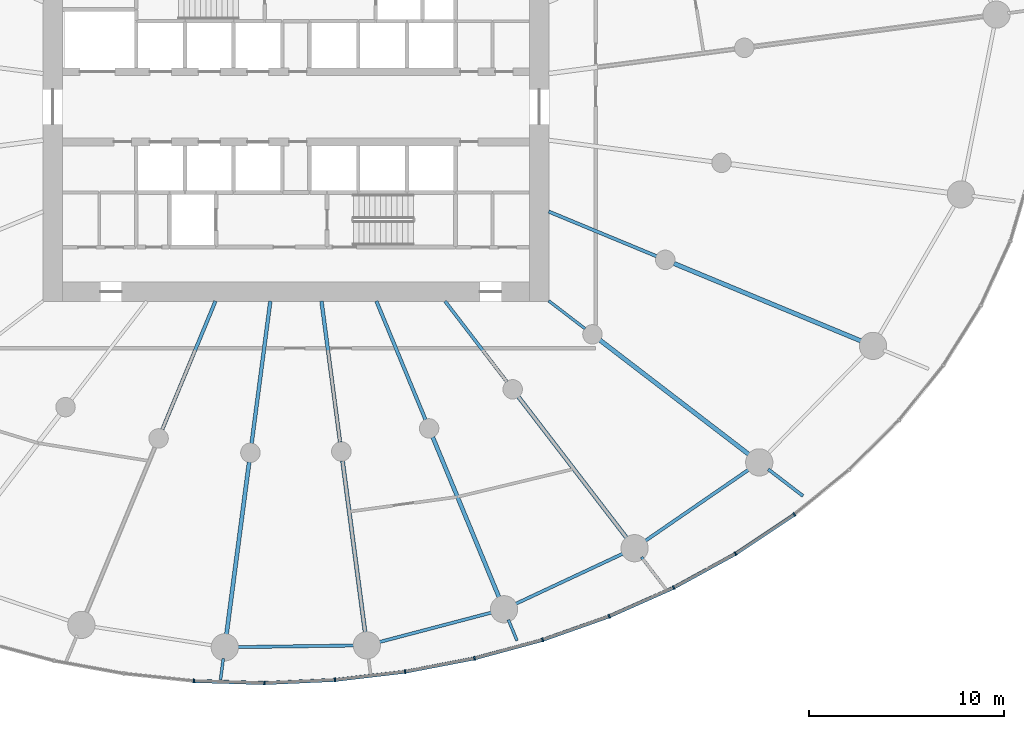
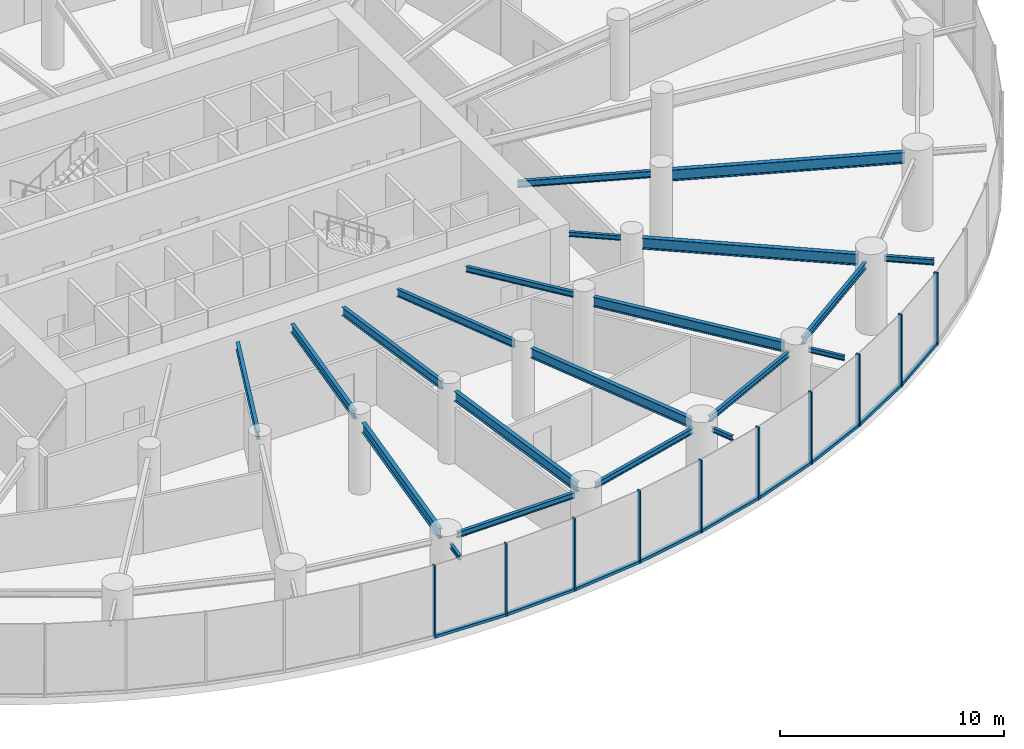
# One storey, part 4 of 17: 21 beams, 19 members, 2 elements without a shape of their own.
"""IFC4 building model written with IfcOpenShell, lengths in metres."""

from ifc_helpers import new_model, si_unit, direction, frame, origin, origin_2d, place, context, subcontext, project, spatial, rectangle, i_section, extrude, source, transform, mapped, material, layer, layer_set, material_profile, profile_set, type_object, element, aggregate, save


model = new_model("IFC4")

# Units and contexts
model_context = context("Model", 3, precision=1e-05, world=origin(), true_north=direction((0.0, 1.0)))
body_context = subcontext(model_context, "Body", "Model", "MODEL_VIEW")
ifc_project = project(units=[si_unit("LENGTHUNIT", "METRE"), si_unit("AREAUNIT", "SQUARE_METRE"), si_unit("VOLUMEUNIT", "CUBIC_METRE"), si_unit("PLANEANGLEUNIT", "RADIAN"), si_unit("MASSUNIT", "GRAM", prefix="KILO")], contexts=[model_context])

# Site, building, storey
site_placement = place(None, origin())
site = spatial("IfcSite", under=ifc_project, at=site_placement, CompositionType="ELEMENT")
building_placement = place(site_placement, origin())
building = spatial("IfcBuilding", under=site, at=building_placement, Name="Spindrift Exchange Tower", CompositionType="ELEMENT")
storey_placement = place(building_placement, frame((0.0, 0.0, 35.800048828125)))
storey = spatial("IfcBuildingStorey", under=building, at=storey_placement, Name="L08", CompositionType="ELEMENT", Elevation=35.800048828125)

# Beams
ifc_material_1 = material(Name="Steel Grade 300", Category="steel")
ifc_material_profile_1 = material_profile(ifc_material_1, i_section(OverallWidth=0.177978515625, OverallDepth=0.406005859375, WebThickness=0.0078125, FlangeThickness=0.0126953125, FilletRadius=0.013916015625, at=origin_2d()), Name="410UB59.7")
ifc_profile_set_1 = profile_set([ifc_material_profile_1], Name="Steel Grade 300")
beam_type_1 = type_object("IfcBeamType", Name="Floor Beam 410UB59.7 Steel Grade 300", PredefinedType="BEAM", material=ifc_profile_set_1)
shared_shape_1 = source(origin(), body_context, "Body", "SweptSolid", [
    extrude(i_section(OverallWidth=0.177978515625, OverallDepth=0.406005859375, WebThickness=0.0078125, FlangeThickness=0.0126953125, FilletRadius=0.013916015625, at=origin_2d()), origin(), (0.0, 0.0, 1.0), 7.150634765625),
])
beam_1_placement = place(storey_placement, frame((47.865478515625, 38.0185546875, 3.7470703125), z_axis=(-0.382665393358, -0.923887004306, 0.0), x_axis=(0.923887004306, -0.382665393358, 0.0)))
element("IfcBeam", 1, at=beam_1_placement, inside=storey, type_object=beam_type_1, Name="L08 radial beam R17A", PredefinedType="BEAM", context=body_context, shape_type="MappedRepresentation", body=[
    mapped(shared_shape_1, transform((0.0, 0.0, 0.0), scale=1.0)),
])
ifc_material_profile_2 = material_profile(ifc_material_1, i_section(OverallWidth=0.18994140625, OverallDepth=0.45703125, WebThickness=0.009033203125, FlangeThickness=0.014404296875, FilletRadius=0.013916015625, at=origin_2d()), Name="460UB74.6")
ifc_profile_set_2 = profile_set([ifc_material_profile_2], Name="Steel Grade 300")
beam_type_2 = type_object("IfcBeamType", Name="Floor Beam 460UB74.6 Steel Grade 300", PredefinedType="BEAM", material=ifc_profile_set_2)
shared_shape_2 = source(origin(), body_context, "Body", "SweptSolid", [
    extrude(i_section(OverallWidth=0.18994140625, OverallDepth=0.45703125, WebThickness=0.009033203125, FlangeThickness=0.014404296875, FilletRadius=0.013916015625, at=origin_2d()), origin(), (0.0, 0.0, 1.0), 7.374267578125),
])
beam_2_placement = place(storey_placement, frame((50.68603515625, 38.019775390625, 3.721435546875), z_axis=(-0.130539295622, -0.99144313619, 0.0), x_axis=(0.99144313619, -0.130539295622, 0.0)))
element("IfcBeam", 2, at=beam_2_placement, inside=storey, type_object=beam_type_2, Name="L08 radial beam R18A", PredefinedType="BEAM", context=body_context, shape_type="MappedRepresentation", body=[
    mapped(shared_shape_2, transform((0.0, 0.0, 0.0), scale=1.0)),
])
ifc_material_profile_3 = material_profile(ifc_material_1, i_section(OverallWidth=0.208984375, OverallDepth=0.532958984375, WebThickness=0.01025390625, FlangeThickness=0.015625, FilletRadius=0.013916015625, at=origin_2d()), Name="530UB92.4")
ifc_profile_set_3 = profile_set([ifc_material_profile_3], Name="Steel Grade 300")
beam_type_3 = type_object("IfcBeamType", Name="Floor Beam 530UB92.4 Steel Grade 300", PredefinedType="BEAM", material=ifc_profile_set_3)
shared_shape_3 = source(origin(), body_context, "Body", "SweptSolid", [
    extrude(i_section(OverallWidth=0.208984375, OverallDepth=0.532958984375, WebThickness=0.01025390625, FlangeThickness=0.015625, FilletRadius=0.013916015625, at=origin_2d()), origin(), (0.0, 0.0, 1.0), 9.020263671875),
])
beam_3_placement = place(storey_placement, frame((49.59814453125, 29.7568359375, 3.683349609375), z_axis=(-0.13051122338, -0.991446831944, 0.0), x_axis=(0.991446831944, -0.13051122338, 0.0)))
element("IfcBeam", 3, at=beam_3_placement, inside=storey, type_object=beam_type_3, Name="L08 radial beam R18B", PredefinedType="BEAM", context=body_context, shape_type="MappedRepresentation", body=[
    mapped(shared_shape_3, transform((0.0, 0.0, 0.0), scale=1.0)),
])
shared_shape_4 = source(origin(), body_context, "Body", "SweptSolid", [
    extrude(i_section(OverallWidth=0.18994140625, OverallDepth=0.45703125, WebThickness=0.009033203125, FlangeThickness=0.014404296875, FilletRadius=0.013916015625, at=origin_2d()), origin(), (0.0, 0.0, 1.0), 7.3095703125),
])
beam_4_placement = place(storey_placement, frame((53.31396484375, 38.019775390625, 3.721435546875), z_axis=(0.130527087244, -0.991444743541, 0.0), x_axis=(0.991444743541, 0.130527087244, 0.0)))
element("IfcBeam", 4, at=beam_4_placement, inside=storey, type_object=beam_type_2, Name="L08 radial beam R19A", PredefinedType="BEAM", context=body_context, shape_type="MappedRepresentation", body=[
    mapped(shared_shape_4, transform((0.0, 0.0, 0.0), scale=1.0)),
])
shared_shape_5 = source(origin(), body_context, "Body", "SweptSolid", [
    extrude(i_section(OverallWidth=0.208984375, OverallDepth=0.532958984375, WebThickness=0.01025390625, FlangeThickness=0.015625, FilletRadius=0.013916015625, at=origin_2d()), origin(), (0.0, 0.0, 1.0), 8.98388671875),
])
beam_5_placement = place(storey_placement, frame((54.393310546875, 29.82080078125, 3.683349609375), z_axis=(0.130524106785, -0.991445135924, 0.0), x_axis=(0.991445135924, 0.130524106785, 0.0)))
element("IfcBeam", 5, at=beam_5_placement, inside=storey, type_object=beam_type_3, Name="L08 radial beam R19B", PredefinedType="BEAM", context=body_context, shape_type="MappedRepresentation", body=[
    mapped(shared_shape_5, transform((0.0, 0.0, 0.0), scale=1.0)),
])
shared_shape_6 = source(origin(), body_context, "Body", "SweptSolid", [
    extrude(i_section(OverallWidth=0.177978515625, OverallDepth=0.406005859375, WebThickness=0.0078125, FlangeThickness=0.0126953125, FilletRadius=0.013916015625, at=origin_2d()), origin(), (0.0, 0.0, 1.0), 6.594482421875),
])
beam_6_placement = place(storey_placement, frame((56.134521484375, 38.0185546875, 3.7470703125), z_axis=(0.382692929746, -0.92387559851, 0.0), x_axis=(0.92387559851, 0.382692929746, 0.0)))
element("IfcBeam", 6, at=beam_6_placement, inside=storey, type_object=beam_type_1, Name="L08 radial beam R20A", PredefinedType="BEAM", context=body_context, shape_type="MappedRepresentation", body=[
    mapped(shared_shape_6, transform((0.0, 0.0, 0.0), scale=1.0)),
])
shared_shape_7 = source(origin(), body_context, "Body", "SweptSolid", [
    extrude(i_section(OverallWidth=0.208984375, OverallDepth=0.532958984375, WebThickness=0.01025390625, FlangeThickness=0.015625, FilletRadius=0.013916015625, at=origin_2d()), origin(), (0.0, 0.0, 1.0), 8.99658203125),
])
beam_7_placement = place(storey_placement, frame((59.025390625, 31.0390625, 3.683349609375), z_axis=(0.382685731718, -0.923878580085, 0.0), x_axis=(0.923878580085, 0.382685731718, 0.0)))
element("IfcBeam", 7, at=beam_7_placement, inside=storey, type_object=beam_type_3, Name="L08 radial beam R20B", PredefinedType="BEAM", context=body_context, shape_type="MappedRepresentation", body=[
    mapped(shared_shape_7, transform((0.0, 0.0, 0.0), scale=1.0)),
])
ifc_material_profile_4 = material_profile(ifc_material_1, i_section(OverallWidth=0.1650390625, OverallDepth=0.303955078125, WebThickness=0.006103515625, FlangeThickness=0.01025390625, FilletRadius=0.011474609375, at=origin_2d()), Name="310UB40.4")
ifc_profile_set_4 = profile_set([ifc_material_profile_4], Name="Steel Grade 300")
beam_type_4 = type_object("IfcBeamType", Name="Floor Beam 310UB40.4 Steel Grade 300", PredefinedType="BEAM", material=ifc_profile_set_4)
shared_shape_8 = source(origin(), body_context, "Body", "SweptSolid", [
    extrude(i_section(OverallWidth=0.1650390625, OverallDepth=0.303955078125, WebThickness=0.006103515625, FlangeThickness=0.01025390625, FilletRadius=0.011474609375, at=origin_2d()), origin(), (0.0, 0.0, 1.0), 5.224609375),
])
beam_8_placement = place(storey_placement, frame((59.6611328125, 38.015869140625, 3.7978515625), z_axis=(0.608741499316, -0.793368632485, 0.0), x_axis=(0.793368632485, 0.608741499316, 0.0)))
element("IfcBeam", 8, at=beam_8_placement, inside=storey, type_object=beam_type_4, Name="L08 radial beam R21A", PredefinedType="BEAM", context=body_context, shape_type="MappedRepresentation", body=[
    mapped(shared_shape_8, transform((0.0, 0.0, 0.0), scale=1.0)),
])
shared_shape_9 = source(origin(), body_context, "Body", "SweptSolid", [
    extrude(i_section(OverallWidth=0.208984375, OverallDepth=0.532958984375, WebThickness=0.01025390625, FlangeThickness=0.015625, FilletRadius=0.013916015625, at=origin_2d()), origin(), (0.0, 0.0, 1.0), 9.227783203125),
])
beam_9_placement = place(storey_placement, frame((63.426025390625, 33.109375, 3.683349609375), z_axis=(0.608747534474, -0.79336400175, 0.0), x_axis=(0.79336400175, 0.608747534474, 0.0)))
element("IfcBeam", 9, at=beam_9_placement, inside=storey, type_object=beam_type_3, Name="L08 radial beam R21B", PredefinedType="BEAM", context=body_context, shape_type="MappedRepresentation", body=[
    mapped(shared_shape_9, transform((0.0, 0.0, 0.0), scale=1.0)),
])
ifc_material_profile_5 = material_profile(ifc_material_1, i_section(OverallWidth=0.14599609375, OverallDepth=0.251953125, WebThickness=0.006103515625, FlangeThickness=0.008544921875, FilletRadius=0.011962890625, at=origin_2d()), Name="250UB31.4")
ifc_profile_set_5 = profile_set([ifc_material_profile_5], Name="Steel Grade 300")
beam_type_5 = type_object("IfcBeamType", Name="Floor Beam 250UB31.4 Steel Grade 300", PredefinedType="BEAM", material=ifc_profile_set_5)
shared_shape_10 = source(origin(), body_context, "Body", "SweptSolid", [
    extrude(i_section(OverallWidth=0.14599609375, OverallDepth=0.251953125, WebThickness=0.006103515625, FlangeThickness=0.008544921875, FilletRadius=0.011962890625, at=origin_2d()), origin(), (0.0, 0.0, 1.0), 2.353759765625),
])
beam_10_placement = place(storey_placement, frame((64.984130859375, 38.036865234375, 3.823974609375), z_axis=(0.793367573265, -0.608742879787, 0.0), x_axis=(0.608742879787, 0.793367573265, 0.0)))
element("IfcBeam", 10, at=beam_10_placement, inside=storey, type_object=beam_type_5, Name="L08 radial beam R22A", PredefinedType="BEAM", context=body_context, shape_type="MappedRepresentation", body=[
    mapped(shared_shape_10, transform((0.0, 0.0, 0.0), scale=1.0)),
])
ifc_material_profile_6 = material_profile(ifc_material_1, i_section(OverallWidth=0.22802734375, OverallDepth=0.60693359375, WebThickness=0.01123046875, FlangeThickness=0.017333984375, FilletRadius=0.013916015625, at=origin_2d()), Name="610UB113")
ifc_profile_set_6 = profile_set([ifc_material_profile_6], Name="Steel Grade 300")
beam_type_6 = type_object("IfcBeamType", Name="Floor Beam 610UB113 Steel Grade 300", PredefinedType="BEAM", material=ifc_profile_set_6)
shared_shape_11 = source(origin(), body_context, "Body", "SweptSolid", [
    extrude(i_section(OverallWidth=0.22802734375, OverallDepth=0.60693359375, WebThickness=0.01123046875, FlangeThickness=0.017333984375, FilletRadius=0.013916015625, at=origin_2d()), origin(), (0.0, 0.0, 1.0), 9.73974609375),
])
beam_11_placement = place(storey_placement, frame((67.61328125, 36.01953125, 3.646484375), z_axis=(0.793352119621, -0.608763019814, 0.0), x_axis=(0.608763019814, 0.793352119621, 0.0)))
element("IfcBeam", 11, at=beam_11_placement, inside=storey, type_object=beam_type_6, Name="L08 radial beam R22B", PredefinedType="BEAM", context=body_context, shape_type="MappedRepresentation", body=[
    mapped(shared_shape_11, transform((0.0, 0.0, 0.0), scale=1.0)),
])
ifc_material_profile_7 = material_profile(ifc_material_1, i_section(OverallWidth=0.172119140625, OverallDepth=0.35888671875, WebThickness=0.008056640625, FlangeThickness=0.012939453125, FilletRadius=0.013916015625, at=origin_2d()), Name="360UB56.7")
ifc_profile_set_7 = profile_set([ifc_material_profile_7], Name="Steel Grade 300")
beam_type_7 = type_object("IfcBeamType", Name="Floor Beam 360UB56.7 Steel Grade 300", PredefinedType="BEAM", material=ifc_profile_set_7)
shared_shape_12 = source(origin(), body_context, "Body", "SweptSolid", [
    extrude(i_section(OverallWidth=0.172119140625, OverallDepth=0.35888671875, WebThickness=0.008056640625, FlangeThickness=0.012939453125, FilletRadius=0.013916015625, at=origin_2d()), origin(), (0.0, 0.0, 1.0), 6.004638671875),
])
beam_12_placement = place(storey_placement, frame((64.9814453125, 42.622802734375, 3.7705078125), z_axis=(0.923882044911, -0.38267736684, 0.0), x_axis=(0.38267736684, 0.923882044911, 0.0)))
element("IfcBeam", 12, at=beam_12_placement, inside=storey, type_object=beam_type_7, Name="L08 radial beam R23A", PredefinedType="BEAM", context=body_context, shape_type="MappedRepresentation", body=[
    mapped(shared_shape_12, transform((0.0, 0.0, 0.0), scale=1.0)),
])
shared_shape_13 = source(origin(), body_context, "Body", "SweptSolid", [
    extrude(i_section(OverallWidth=0.22802734375, OverallDepth=0.60693359375, WebThickness=0.01123046875, FlangeThickness=0.017333984375, FilletRadius=0.013916015625, at=origin_2d()), origin(), (0.0, 0.0, 1.0), 10.4912109375),
])
beam_13_placement = place(storey_placement, frame((71.416015625, 39.95751953125, 3.646484375), z_axis=(0.923885231151, -0.382669674342, 0.0), x_axis=(0.382669674342, 0.923885231151, 0.0)))
element("IfcBeam", 13, at=beam_13_placement, inside=storey, type_object=beam_type_6, Name="L08 radial beam R23B", PredefinedType="BEAM", context=body_context, shape_type="MappedRepresentation", body=[
    mapped(shared_shape_13, transform((0.0, 0.0, 0.0), scale=1.0)),
])
ifc_material_profile_8 = material_profile(ifc_material_1, i_section(OverallWidth=0.1650390625, OverallDepth=0.303955078125, WebThickness=0.006103515625, FlangeThickness=0.01025390625, FilletRadius=0.011474609375, at=origin_2d()), Name="310UB40.4")
ifc_profile_set_8 = profile_set([ifc_material_profile_8], Name="Steel Grade 300")
beam_type_8 = type_object("IfcBeamType", Name="Edge Beam 310UB40.4 Steel Grade 300", PredefinedType="SPANDREL", material=ifc_profile_set_8)
shared_shape_14 = source(origin(), body_context, "Body", "SweptSolid", [
    extrude(i_section(OverallWidth=0.1650390625, OverallDepth=0.303955078125, WebThickness=0.006103515625, FlangeThickness=0.01025390625, FilletRadius=0.011474609375, at=origin_2d()), origin(), (0.0, 0.0, 1.0), 6.13720703125),
])
beam_14_placement = place(storey_placement, frame((48.925048828125, 20.24658203125, 3.7978515625), z_axis=(0.999905820907, 0.013724041543, 0.0), x_axis=(-0.013724041543, 0.999905820907, 0.0)))
element("IfcBeam", 14, at=beam_14_placement, inside=storey, type_object=beam_type_8, Name="L08 edge beam E18", PredefinedType="SPANDREL", context=body_context, shape_type="MappedRepresentation", body=[
    mapped(shared_shape_14, transform((0.0, 0.0, 0.0), scale=1.0)),
])
shared_shape_15 = source(origin(), body_context, "Body", "SweptSolid", [
    extrude(i_section(OverallWidth=0.1650390625, OverallDepth=0.303955078125, WebThickness=0.006103515625, FlangeThickness=0.01025390625, FilletRadius=0.011474609375, at=origin_2d()), origin(), (0.0, 0.0, 1.0), 6.128173828125),
])
beam_15_placement = place(storey_placement, frame((56.20263671875, 20.486083984375, 3.7978515625), z_axis=(0.967147261855, 0.254216785216, 0.0), x_axis=(-0.254216785216, 0.967147261855, 0.0)))
element("IfcBeam", 15, at=beam_15_placement, inside=storey, type_object=beam_type_8, Name="L08 edge beam E19", PredefinedType="SPANDREL", context=body_context, shape_type="MappedRepresentation", body=[
    mapped(shared_shape_15, transform((0.0, 0.0, 0.0), scale=1.0)),
])
shared_shape_16 = source(origin(), body_context, "Body", "SweptSolid", [
    extrude(i_section(OverallWidth=0.1650390625, OverallDepth=0.303955078125, WebThickness=0.006103515625, FlangeThickness=0.01025390625, FilletRadius=0.011474609375, at=origin_2d()), origin(), (0.0, 0.0, 1.0), 6.243408203125),
])
beam_16_placement = place(storey_placement, frame((63.2158203125, 22.43701171875, 3.7978515625), z_axis=(0.905791146607, 0.423724437257, 0.0), x_axis=(-0.423724437257, 0.905791146607, 0.0)))
element("IfcBeam", 16, at=beam_16_placement, inside=storey, type_object=beam_type_8, Name="L08 edge beam E20", PredefinedType="SPANDREL", context=body_context, shape_type="MappedRepresentation", body=[
    mapped(shared_shape_16, transform((0.0, 0.0, 0.0), scale=1.0)),
])
ifc_material_profile_9 = material_profile(ifc_material_1, i_section(OverallWidth=0.172119140625, OverallDepth=0.35888671875, WebThickness=0.008056640625, FlangeThickness=0.012939453125, FilletRadius=0.013916015625, at=origin_2d()), Name="360UB56.7")
ifc_profile_set_9 = profile_set([ifc_material_profile_9], Name="Steel Grade 300")
beam_type_9 = type_object("IfcBeamType", Name="Edge Beam 360UB56.7 Steel Grade 300", PredefinedType="SPANDREL", material=ifc_profile_set_9)
shared_shape_17 = source(origin(), body_context, "Body", "SweptSolid", [
    extrude(i_section(OverallWidth=0.172119140625, OverallDepth=0.35888671875, WebThickness=0.008056640625, FlangeThickness=0.012939453125, FilletRadius=0.013916015625, at=origin_2d()), origin(), (0.0, 0.0, 1.0), 6.614990234375),
])
beam_17_placement = place(storey_placement, frame((69.874267578125, 25.6572265625, 3.7705078125), z_axis=(0.823690708835, 0.567039342708, 0.0), x_axis=(-0.567039342708, 0.823690708835, 0.0)))
element("IfcBeam", 17, at=beam_17_placement, inside=storey, type_object=beam_type_9, Name="L08 edge beam E21", PredefinedType="SPANDREL", context=body_context, shape_type="MappedRepresentation", body=[
    mapped(shared_shape_17, transform((0.0, 0.0, 0.0), scale=1.0)),
])
ifc_material_profile_10 = material_profile(ifc_material_1, i_section(OverallWidth=0.14599609375, OverallDepth=0.251953125, WebThickness=0.006103515625, FlangeThickness=0.008544921875, FilletRadius=0.011962890625, at=origin_2d()), Name="250UB31.4")
ifc_profile_set_10 = profile_set([ifc_material_profile_10], Name="Steel Grade 300")
beam_type_10 = type_object("IfcBeamType", Name="Cantilever Beam 250UB31.4 Steel Grade 300", PredefinedType="BEAM", material=ifc_profile_set_10)
shared_shape_18 = source(origin(), body_context, "Body", "SweptSolid", [
    extrude(i_section(OverallWidth=0.14599609375, OverallDepth=0.251953125, WebThickness=0.006103515625, FlangeThickness=0.008544921875, FilletRadius=0.011962890625, at=origin_2d()), origin(), (0.0, 0.0, 1.0), 1.10205078125),
])
beam_18_placement = place(storey_placement, frame((48.269287109375, 19.66357421875, 3.823974609375), z_axis=(-0.130494630272, -0.991449016072, 0.0), x_axis=(0.991449016072, -0.130494630272, 0.0)))
element("IfcBeam", 18, at=beam_18_placement, inside=storey, type_object=beam_type_10, Name="L08 cantilever beam R18T", PredefinedType="BEAM", context=body_context, shape_type="MappedRepresentation", body=[
    mapped(shared_shape_18, transform((0.0, 0.0, 0.0), scale=1.0)),
])
shared_shape_19 = source(origin(), body_context, "Body", "SweptSolid", [
    extrude(i_section(OverallWidth=0.14599609375, OverallDepth=0.251953125, WebThickness=0.006103515625, FlangeThickness=0.008544921875, FilletRadius=0.011962890625, at=origin_2d()), origin(), (0.0, 0.0, 1.0), 1.165283203125),
])
beam_19_placement = place(storey_placement, frame((62.912109375, 21.655517578125, 3.823974609375), z_axis=(0.38274032778, -0.923855963606, 0.0), x_axis=(0.923855963606, 0.38274032778, 0.0)))
element("IfcBeam", 19, at=beam_19_placement, inside=storey, type_object=beam_type_10, Name="L08 cantilever beam R20T", PredefinedType="BEAM", context=body_context, shape_type="MappedRepresentation", body=[
    mapped(shared_shape_19, transform((0.0, 0.0, 0.0), scale=1.0)),
])
shared_shape_20 = source(origin(), body_context, "Body", "SweptSolid", [
    extrude(i_section(OverallWidth=0.14599609375, OverallDepth=0.251953125, WebThickness=0.006103515625, FlangeThickness=0.008544921875, FilletRadius=0.011962890625, at=origin_2d()), origin(), (0.0, 0.0, 1.0), 1.741455078125),
])
beam_20_placement = place(storey_placement, frame((69.749755859375, 24.8681640625, 3.823974609375), z_axis=(0.608734654071, -0.793373884705, 0.0), x_axis=(0.793373884705, 0.608734654071, 0.0)))
element("IfcBeam", 20, at=beam_20_placement, inside=storey, type_object=beam_type_10, Name="L08 cantilever beam R21T", PredefinedType="BEAM", context=body_context, shape_type="MappedRepresentation", body=[
    mapped(shared_shape_20, transform((0.0, 0.0, 0.0), scale=1.0)),
])
ifc_material_profile_11 = material_profile(ifc_material_1, i_section(OverallWidth=0.1650390625, OverallDepth=0.303955078125, WebThickness=0.006103515625, FlangeThickness=0.01025390625, FilletRadius=0.011474609375, at=origin_2d()), Name="310UB40.4")
ifc_profile_set_11 = profile_set([ifc_material_profile_11], Name="Steel Grade 300")
beam_type_11 = type_object("IfcBeamType", Name="Cantilever Beam 310UB40.4 Steel Grade 300", PredefinedType="BEAM", material=ifc_profile_set_11)
shared_shape_21 = source(origin(), body_context, "Body", "SweptSolid", [
    extrude(i_section(OverallWidth=0.1650390625, OverallDepth=0.303955078125, WebThickness=0.006103515625, FlangeThickness=0.01025390625, FilletRadius=0.011474609375, at=origin_2d()), origin(), (0.0, 0.0, 1.0), 2.25439453125),
])
beam_21_placement = place(storey_placement, frame((76.2607421875, 29.384033203125, 3.7978515625), z_axis=(0.793376222993, -0.608731606531, 0.0), x_axis=(0.608731606531, 0.793376222993, 0.0)))
element("IfcBeam", 21, at=beam_21_placement, inside=storey, type_object=beam_type_11, Name="L08 cantilever beam R22T", PredefinedType="BEAM", context=body_context, shape_type="MappedRepresentation", body=[
    mapped(shared_shape_21, transform((0.0, 0.0, 0.0), scale=1.0)),
])

# Curtain wall, members
ifc_material_2 = material(Name="Fritted laminated glass with bronze frame", Category="glass")
ifc_layer = layer(ifc_material_2, 0.199951171875)
ifc_layer_set = layer_set([ifc_layer], Name="ZONE 1 BRONZE FRITTED WALL")
curtain_wall_type = type_object("IfcCurtainWallType", Name="ZONE 1 BRONZE FRITTED WALL", PredefinedType="NOTDEFINED", material=ifc_layer_set)
curtain_wall_1_placement = place(storey_placement, origin())
curtain_wall_1 = element("IfcCurtainWall", 22, at=curtain_wall_1_placement, inside=storey, type_object=curtain_wall_type, Name="L08 Zone 1 Bronze Fritted Wall run 8", PredefinedType="NOTDEFINED")
ifc_material_3 = material(Name="Bronze anodised aluminium", Category="aluminium")
ifc_material_profile_12 = material_profile(ifc_material_3, rectangle(XDim=0.080078125, YDim=0.199951171875, at=origin_2d()), Name="ZONE 1 BRONZE FRITTED WALL MULLION 80X200")
ifc_profile_set_12 = profile_set([ifc_material_profile_12], Name="Bronze anodised aluminium")
member_type_1 = type_object("IfcMemberType", Name="ZONE 1 BRONZE FRITTED WALL MULLION 80X200", PredefinedType="MULLION", material=ifc_profile_set_12)
shared_shape_22 = source(origin(), body_context, "Body", "SweptSolid", [
    extrude(rectangle(XDim=0.080078125, YDim=0.199951171875, at=origin_2d()), origin(), (0.0, 0.0, 1.0), 3.949951171875),
])
member_1_placement = place(storey_placement, frame((46.757568359375, 18.5087890625, 0.0), z_axis=(0.0, 0.0, 1.0), x_axis=(0.997772634291, -0.066706598323, 0.0)))
member_1 = element("IfcMember", 23, at=member_1_placement, type_object=member_type_1, Name="L08 mullion CW-1.43", PredefinedType="MULLION", context=body_context, shape_type="MappedRepresentation", body=[
    mapped(shared_shape_22, transform((0.0, 0.0, 0.0), scale=1.0)),
])
member_2_placement = place(storey_placement, frame((50.38330078125, 18.402587890625, 0.0), z_axis=(0.0, 0.0, 1.0), x_axis=(0.999972366155, 0.007434172919, 0.0)))
member_2 = element("IfcMember", 24, at=member_2_placement, type_object=member_type_1, Name="L08 mullion CW-1.44", PredefinedType="MULLION", context=body_context, shape_type="MappedRepresentation", body=[
    mapped(shared_shape_22, transform((0.0, 0.0, 0.0), scale=1.0)),
])
member_3_placement = place(storey_placement, frame((54.00732421875, 18.562744140625, 0.0), z_axis=(0.0, 0.0, 1.0), x_axis=(0.996753791448, 0.080510118828, 0.0)))
member_3 = element("IfcMember", 25, at=member_3_placement, type_object=member_type_1, Name="L08 mullion CW-1.45", PredefinedType="MULLION", context=body_context, shape_type="MappedRepresentation", body=[
    mapped(shared_shape_22, transform((0.0, 0.0, 0.0), scale=1.0)),
])
member_4_placement = place(storey_placement, frame((57.60986328125, 18.986083984375, 0.0), z_axis=(0.0, 0.0, 1.0), x_axis=(0.988233309141, 0.15295400192, 0.0)))
member_4 = element("IfcMember", 26, at=member_4_placement, type_object=member_type_1, Name="L08 mullion CW-1.46", PredefinedType="MULLION", context=body_context, shape_type="MappedRepresentation", body=[
    mapped(shared_shape_22, transform((0.0, 0.0, 0.0), scale=1.0)),
])
member_5_placement = place(storey_placement, frame((61.171875, 19.671630859375, 0.0), z_axis=(0.0, 0.0, 1.0), x_axis=(0.974314545192, 0.225191400872, 0.0)))
member_5 = element("IfcMember", 27, at=member_5_placement, type_object=member_type_1, Name="L08 mullion CW-1.47", PredefinedType="MULLION", context=body_context, shape_type="MappedRepresentation", body=[
    mapped(shared_shape_22, transform((0.0, 0.0, 0.0), scale=1.0)),
])
member_6_placement = place(storey_placement, frame((64.673583984375, 20.618896484375, 0.0), z_axis=(0.0, 0.0, 1.0), x_axis=(0.954701071018, 0.297566572377, 0.0)))
member_6 = element("IfcMember", 28, at=member_6_placement, type_object=member_type_1, Name="L08 mullion CW-1.48", PredefinedType="MULLION", context=body_context, shape_type="MappedRepresentation", body=[
    mapped(shared_shape_22, transform((0.0, 0.0, 0.0), scale=1.0)),
])

curtain_wall_2_placement = place(storey_placement, origin())
curtain_wall_2 = element("IfcCurtainWall", 29, at=curtain_wall_2_placement, inside=storey, type_object=curtain_wall_type, Name="L08 Zone 1 Bronze Fritted Wall run 9", PredefinedType="NOTDEFINED")
member_7_placement = place(storey_placement, frame((68.093017578125, 21.828857421875, 0.0), z_axis=(0.0, 0.0, 1.0), x_axis=(0.92886722727, 0.370412842789, 0.0)))
member_7 = element("IfcMember", 30, at=member_7_placement, type_object=member_type_1, Name="L08 mullion CW-1.49", PredefinedType="MULLION", context=body_context, shape_type="MappedRepresentation", body=[
    mapped(shared_shape_22, transform((0.0, 0.0, 0.0), scale=1.0)),
])
member_8_placement = place(storey_placement, frame((71.40673828125, 23.303955078125, 0.0), z_axis=(0.0, 0.0, 1.0), x_axis=(0.896045925667, 0.443961371175, 0.0)))
member_8 = element("IfcMember", 31, at=member_8_placement, type_object=member_type_1, Name="L08 mullion CW-1.50", PredefinedType="MULLION", context=body_context, shape_type="MappedRepresentation", body=[
    mapped(shared_shape_22, transform((0.0, 0.0, 0.0), scale=1.0)),
])
member_9_placement = place(storey_placement, frame((74.587646484375, 25.046630859375, 0.0), z_axis=(0.0, 0.0, 1.0), x_axis=(0.855190511952, 0.518313793245, 0.0)))
member_9 = element("IfcMember", 32, at=member_9_placement, type_object=member_type_1, Name="L08 mullion CW-1.51", PredefinedType="MULLION", context=body_context, shape_type="MappedRepresentation", body=[
    mapped(shared_shape_22, transform((0.0, 0.0, 0.0), scale=1.0)),
])
member_10_placement = place(storey_placement, frame((77.6044921875, 27.060302734375, 0.0), z_axis=(0.0, 0.0, 1.0), x_axis=(0.804961355287, 0.593327242333, 0.0)))
member_10 = element("IfcMember", 33, at=member_10_placement, type_object=member_type_1, Name="L08 mullion CW-1.52", PredefinedType="MULLION", context=body_context, shape_type="MappedRepresentation", body=[
    mapped(shared_shape_22, transform((0.0, 0.0, 0.0), scale=1.0)),
])

# Member
ifc_material_profile_13 = material_profile(ifc_material_3, rectangle(XDim=0.179931640625, YDim=0.14990234375, at=origin_2d()), Name="ZONE 1 BRONZE FRITTED WALL TRANSOM 180X150")
ifc_profile_set_13 = profile_set([ifc_material_profile_13], Name="Bronze anodised aluminium")
member_type_2 = type_object("IfcMemberType", Name="ZONE 1 BRONZE FRITTED WALL TRANSOM 180X150", PredefinedType="USERDEFINED", material=ifc_profile_set_13)
shared_shape_23 = source(origin(), body_context, "Body", "SweptSolid", [
    extrude(rectangle(XDim=0.179931640625, YDim=0.14990234375, at=origin_2d()), origin(), (0.0, 0.0, 1.0), 3.54736328125),
])
member_11_placement = place(storey_placement, frame((46.797607421875, 18.507568359375, 0.074951171875), z_axis=(0.999570130515, -0.029318154475, 0.0), x_axis=(0.029318154475, 0.999570130515, 0.0)))
member_11 = element("IfcMember", 34, at=member_11_placement, type_object=member_type_2, Name="L08 transom CW-1.43", ObjectType="TRANSOM", PredefinedType="USERDEFINED", context=body_context, shape_type="MappedRepresentation", body=[
    mapped(shared_shape_23, transform((0.0, 0.0, 0.0), scale=1.0)),
])

member_12_placement = place(storey_placement, frame((50.42333984375, 18.404296875, 0.074951171875), z_axis=(0.99902341603, 0.044183868358, 0.0), x_axis=(-0.044183868358, 0.99902341603, 0.0)))
member_12 = element("IfcMember", 35, at=member_12_placement, type_object=member_type_2, Name="L08 transom CW-1.44", ObjectType="TRANSOM", PredefinedType="USERDEFINED", context=body_context, shape_type="MappedRepresentation", body=[
    mapped(shared_shape_23, transform((0.0, 0.0, 0.0), scale=1.0)),
])

member_13_placement = place(storey_placement, frame((57.649169921875, 18.99365234375, 0.074951171875), z_axis=(0.981978946301, 0.188990341081, 0.0), x_axis=(-0.188990341081, 0.981978946301, 0.0)))
member_13 = element("IfcMember", 36, at=member_13_placement, type_object=member_type_2, Name="L08 transom CW-1.46", ObjectType="TRANSOM", PredefinedType="USERDEFINED", context=body_context, shape_type="MappedRepresentation", body=[
    mapped(shared_shape_23, transform((0.0, 0.0, 0.0), scale=1.0)),
])

member_14_placement = place(storey_placement, frame((68.129638671875, 21.844970703125, 0.074951171875), z_axis=(0.913570148556, 0.406681181846, 0.0), x_axis=(-0.406681181846, 0.913570148556, 0.0)))
member_14 = element("IfcMember", 37, at=member_14_placement, type_object=member_type_2, Name="L08 transom CW-1.49", ObjectType="TRANSOM", PredefinedType="USERDEFINED", context=body_context, shape_type="MappedRepresentation", body=[
    mapped(shared_shape_23, transform((0.0, 0.0, 0.0), scale=1.0)),
])

member_15_placement = place(storey_placement, frame((71.44189453125, 23.322998046875, 0.074951171875), z_axis=(0.876973355917, 0.480539002591, 0.0), x_axis=(-0.480539002591, 0.876973355917, 0.0)))
member_15 = element("IfcMember", 38, at=member_15_placement, type_object=member_type_2, Name="L08 transom CW-1.50", ObjectType="TRANSOM", PredefinedType="USERDEFINED", context=body_context, shape_type="MappedRepresentation", body=[
    mapped(shared_shape_23, transform((0.0, 0.0, 0.0), scale=1.0)),
])

member_16_placement = place(storey_placement, frame((74.620849609375, 25.06884765625, 0.074951171875), z_axis=(0.831753697294, 0.555144834288, 0.0), x_axis=(-0.555144834288, 0.831753697294, 0.0)))
member_16 = element("IfcMember", 39, at=member_16_placement, type_object=member_type_2, Name="L08 transom CW-1.51", ObjectType="TRANSOM", PredefinedType="USERDEFINED", context=body_context, shape_type="MappedRepresentation", body=[
    mapped(shared_shape_23, transform((0.0, 0.0, 0.0), scale=1.0)),
])

aggregate(curtain_wall_2, [member_7, member_14, member_8, member_15, member_9, member_16, member_10])

shared_shape_24 = source(origin(), body_context, "Body", "SweptSolid", [
    extrude(rectangle(XDim=0.179931640625, YDim=0.14990234375, at=origin_2d()), origin(), (0.0, 0.0, 1.0), 3.547119140625),
])
member_17_placement = place(storey_placement, frame((54.047119140625, 18.5673828125, 0.074951171875), z_axis=(0.993163752547, 0.116729433425, 0.0), x_axis=(-0.116729433425, 0.993163752547, 0.0)))
member_17 = element("IfcMember", 40, at=member_17_placement, type_object=member_type_2, Name="L08 transom CW-1.45", ObjectType="TRANSOM", PredefinedType="USERDEFINED", context=body_context, shape_type="MappedRepresentation", body=[
    mapped(shared_shape_24, transform((0.0, 0.0, 0.0), scale=1.0)),
])

member_18_placement = place(storey_placement, frame((64.711181640625, 20.632080078125, 0.074951171875), z_axis=(0.942714281094, 0.333601235341, 0.0), x_axis=(-0.333601235341, 0.942714281094, 0.0)))
member_18 = element("IfcMember", 41, at=member_18_placement, type_object=member_type_2, Name="L08 transom CW-1.48", ObjectType="TRANSOM", PredefinedType="USERDEFINED", context=body_context, shape_type="MappedRepresentation", body=[
    mapped(shared_shape_24, transform((0.0, 0.0, 0.0), scale=1.0)),
])

shared_shape_25 = source(origin(), body_context, "Body", "SweptSolid", [
    extrude(rectangle(XDim=0.179931640625, YDim=0.14990234375, at=origin_2d()), origin(), (0.0, 0.0, 1.0), 3.547607421875),
])
member_19_placement = place(storey_placement, frame((61.21044921875, 19.68212890625, 0.074951171875), z_axis=(0.965312780155, 0.261096220711, 0.0), x_axis=(-0.261096220711, 0.965312780155, 0.0)))
member_19 = element("IfcMember", 42, at=member_19_placement, type_object=member_type_2, Name="L08 transom CW-1.47", ObjectType="TRANSOM", PredefinedType="USERDEFINED", context=body_context, shape_type="MappedRepresentation", body=[
    mapped(shared_shape_25, transform((0.0, 0.0, 0.0), scale=1.0)),
])

aggregate(curtain_wall_1, [member_1, member_11, member_2, member_12, member_3, member_17, member_4, member_13, member_5, member_19, member_6, member_18])

save(model, "model.ifc")
